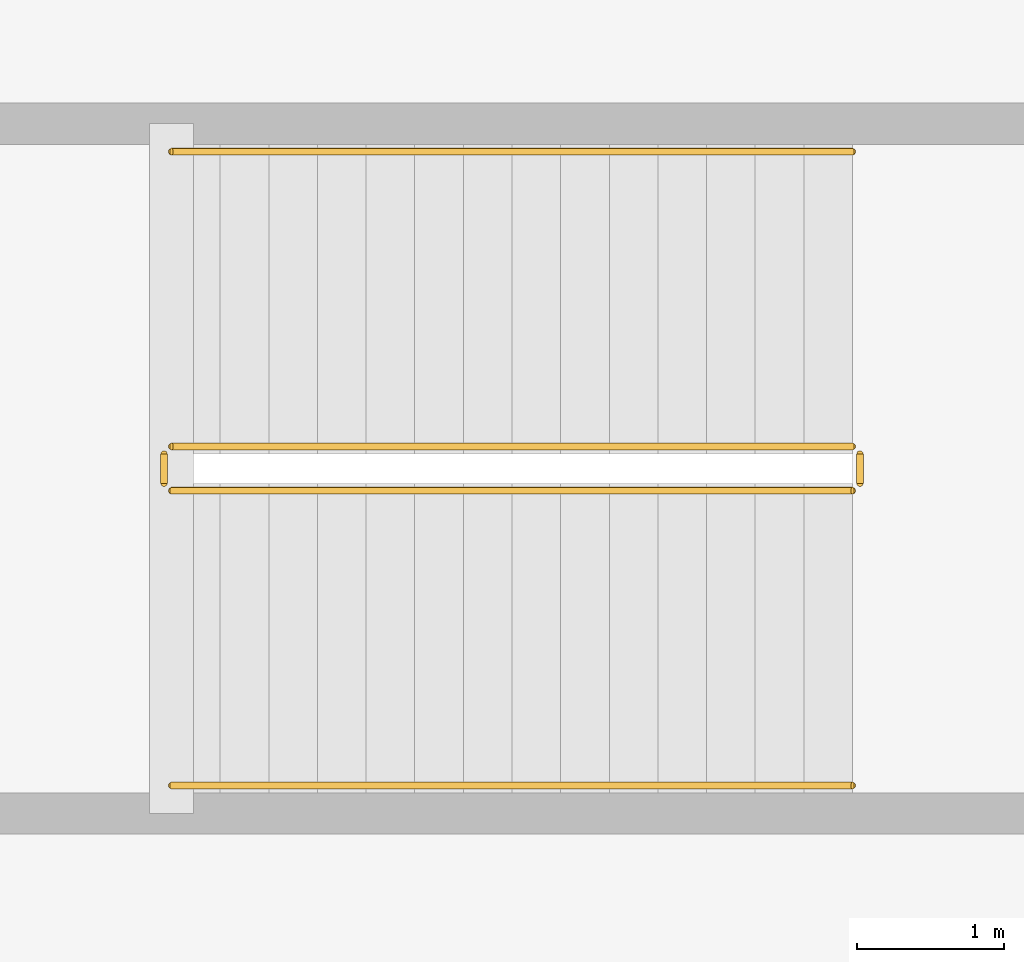
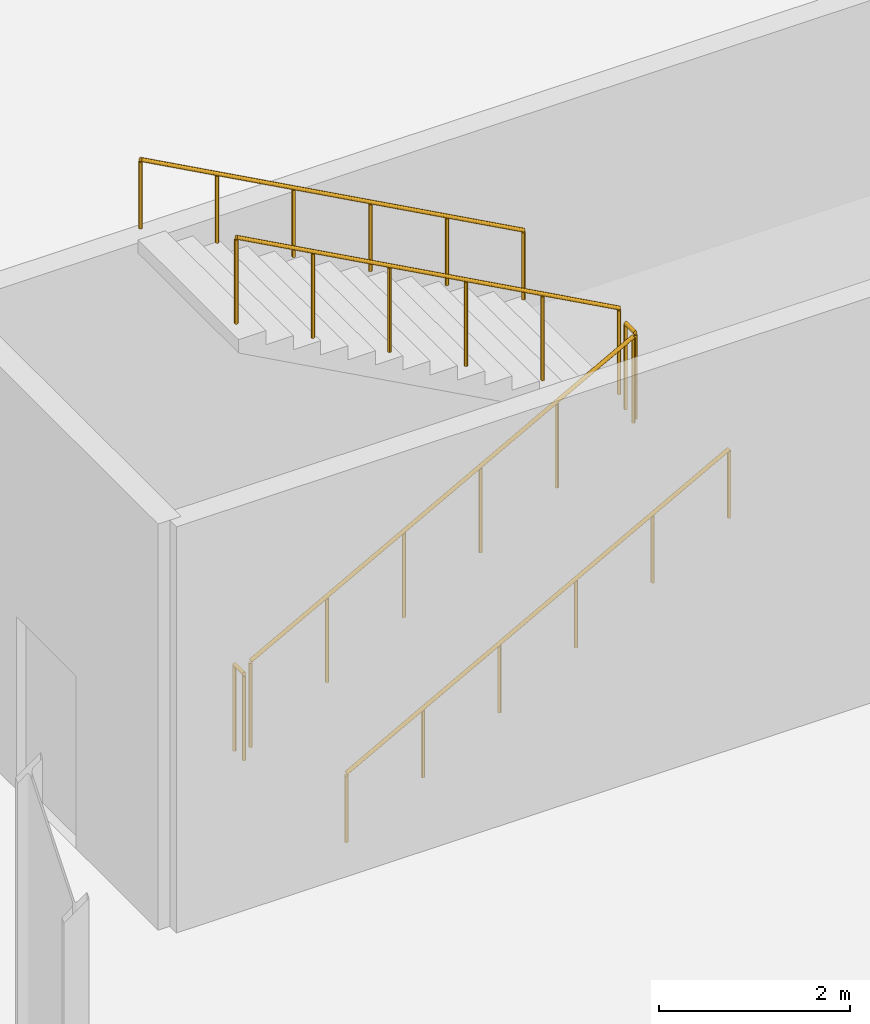
# One storey, part 85 of 87: 6 railings.
"""IFC4 building model written with IfcOpenShell, lengths in metres."""

from ifc_helpers import new_model, si_unit, direction, frame, origin, origin_2d, place, context, subcontext, project, spatial, circle, extrude, material, type_object, element, save


model = new_model("IFC4")

# Units and contexts
model_context = context("Model", 3, precision=1e-05, world=origin(), true_north=direction((0.0, 1.0)))
body_context = subcontext(model_context, "Body", "Model", "MODEL_VIEW")
ifc_project = project(units=[si_unit("LENGTHUNIT", "METRE"), si_unit("AREAUNIT", "SQUARE_METRE"), si_unit("VOLUMEUNIT", "CUBIC_METRE"), si_unit("PLANEANGLEUNIT", "RADIAN"), si_unit("MASSUNIT", "GRAM", prefix="KILO")], contexts=[model_context])

# Site, building, storey
site_placement = place(None, origin())
site = spatial("IfcSite", under=ifc_project, at=site_placement, CompositionType="ELEMENT")
building_placement = place(site_placement, origin())
building = spatial("IfcBuilding", under=site, at=building_placement, Name="Kimbaza Rail Terminus", CompositionType="ELEMENT")
storey_placement = place(building_placement, origin())
storey = spatial("IfcBuildingStorey", under=building, at=storey_placement, Name="L00", CompositionType="ELEMENT", Elevation=0.0)

# Railings
ifc_material_1 = material(Name="Brushed stainless steel handrail", Category="steel")
railing_type_1 = type_object("IfcRailingType", Name="ARC-RL-HND92", PredefinedType="HANDRAIL", material=ifc_material_1)
railing_1_placement = place(storey_placement, frame((143.699951171875, 81.85009765625, 0.179931640625)))
element("IfcRailing", 1, at=railing_1_placement, inside=storey, type_object=railing_type_1, Name="L00 ST-C2 stair handrail 1", PredefinedType="HANDRAIL", context=body_context, shape_type="SweptSolid", body=[
    extrude(circle(Radius=0.02392578125, at=origin_2d()), frame((0.0, 0.0, 0.8759765625), z_axis=(0.877899118682, 0.0, 0.478845630049), x_axis=(0.0, 1.0, 0.0)), (0.0, 0.0, 1.0), 5.2626953125),
    extrude(circle(Radius=0.02099609375, at=origin_2d()), origin(), (0.0, 0.0, 1.0), 0.851806640625),
    extrude(circle(Radius=0.02099609375, at=origin_2d()), frame((0.924072265625, 0.0, 0.50390625)), (0.0, 0.0, 1.0), 0.851806640625),
    extrude(circle(Radius=0.02099609375, at=origin_2d()), frame((1.84814453125, 0.0, 1.008056640625)), (0.0, 0.0, 1.0), 0.851806640625),
    extrude(circle(Radius=0.02099609375, at=origin_2d()), frame((2.77197265625, 0.0, 1.511962890625)), (0.0, 0.0, 1.0), 0.851806640625),
    extrude(circle(Radius=0.02099609375, at=origin_2d()), frame((3.696044921875, 0.0, 2.01611328125)), (0.0, 0.0, 1.0), 0.851806640625),
    extrude(circle(Radius=0.02099609375, at=origin_2d()), frame((4.6201171875, 0.0, 2.52001953125)), (0.0, 0.0, 1.0), 0.851806640625),
])
railing_2_placement = place(storey_placement, frame((148.320068359375, 86.14990234375, 2.8798828125)))
element("IfcRailing", 2, at=railing_2_placement, inside=storey, type_object=railing_type_1, Name="L00 ST-C2 stair handrail 2", PredefinedType="HANDRAIL", context=body_context, shape_type="SweptSolid", body=[
    extrude(circle(Radius=0.02392578125, at=origin_2d()), frame((0.0, 0.0, 0.8759765625), z_axis=(-0.877899118682, 0.0, 0.478845630049), x_axis=(0.0, -1.0, 0.0)), (0.0, 0.0, 1.0), 5.2626953125),
    extrude(circle(Radius=0.02099609375, at=origin_2d()), origin(), (0.0, 0.0, 1.0), 0.851806640625),
    extrude(circle(Radius=0.02099609375, at=origin_2d()), frame((-0.924072265625, 0.0, 0.50390625)), (0.0, 0.0, 1.0), 0.851806640625),
    extrude(circle(Radius=0.02099609375, at=origin_2d()), frame((-1.84814453125, 0.0, 1.008056640625)), (0.0, 0.0, 1.0), 0.851806640625),
    extrude(circle(Radius=0.02099609375, at=origin_2d()), frame((-2.77197265625, 0.0, 1.511962890625)), (0.0, 0.0, 1.0), 0.851806640625),
    extrude(circle(Radius=0.02099609375, at=origin_2d()), frame((-3.696044921875, 0.0, 2.01611328125)), (0.0, 0.0, 1.0), 0.851806640625),
    extrude(circle(Radius=0.02099609375, at=origin_2d()), frame((-4.6201171875, 0.0, 2.52001953125)), (0.0, 0.0, 1.0), 0.851806640625),
])
ifc_material_2 = material(Name="Painted tubular steel stair well guard", Category="steel")
railing_type_2 = type_object("IfcRailingType", Name="ARC-RL-STGRD", PredefinedType="GUARDRAIL", material=ifc_material_2)
railing_3_placement = place(storey_placement, frame((143.699951171875, 83.85009765625, 0.179931640625)))
element("IfcRailing", 3, at=railing_3_placement, inside=storey, type_object=railing_type_2, Name="L00 ST-C2 stair guard 1", PredefinedType="GUARDRAIL", context=body_context, shape_type="SweptSolid", body=[
    extrude(circle(Radius=0.02392578125, at=origin_2d()), frame((0.0, 0.0, 1.09619140625), z_axis=(0.877899118682, 0.0, 0.478845630049), x_axis=(0.0, 1.0, 0.0)), (0.0, 0.0, 1.0), 5.2626953125),
    extrude(circle(Radius=0.02099609375, at=origin_2d()), origin(), (0.0, 0.0, 1.0), 1.072021484375),
    extrude(circle(Radius=0.02099609375, at=origin_2d()), frame((0.924072265625, 0.0, 0.50390625)), (0.0, 0.0, 1.0), 1.072021484375),
    extrude(circle(Radius=0.02099609375, at=origin_2d()), frame((1.84814453125, 0.0, 1.008056640625)), (0.0, 0.0, 1.0), 1.072021484375),
    extrude(circle(Radius=0.02099609375, at=origin_2d()), frame((2.77197265625, 0.0, 1.511962890625)), (0.0, 0.0, 1.0), 1.072021484375),
    extrude(circle(Radius=0.02099609375, at=origin_2d()), frame((3.696044921875, 0.0, 2.01611328125)), (0.0, 0.0, 1.0), 1.072021484375),
    extrude(circle(Radius=0.02099609375, at=origin_2d()), frame((4.6201171875, 0.0, 2.52001953125)), (0.0, 0.0, 1.0), 1.072021484375),
])
railing_4_placement = place(storey_placement, frame((148.3701171875, 83.89990234375, 2.699951171875)))
element("IfcRailing", 4, at=railing_4_placement, inside=storey, type_object=railing_type_2, Name="L00 ST-C2 stair guard 2", PredefinedType="GUARDRAIL", context=body_context, shape_type="SweptSolid", body=[
    extrude(circle(Radius=0.02392578125, at=origin_2d()), frame((0.0, 0.0, 1.09619140625), z_axis=(0.0, 1.0, 0.0), x_axis=(-1.0, 0.0, 0.0)), (0.0, 0.0, 1.0), 0.2001953125),
    extrude(circle(Radius=0.02099609375, at=origin_2d()), origin(), (0.0, 0.0, 1.0), 1.072021484375),
    extrude(circle(Radius=0.02099609375, at=origin_2d()), frame((0.0, 0.2001953125, 0.0)), (0.0, 0.0, 1.0), 1.072021484375),
])
railing_5_placement = place(storey_placement, frame((148.320068359375, 84.14990234375, 2.8798828125)))
element("IfcRailing", 5, at=railing_5_placement, inside=storey, type_object=railing_type_2, Name="L00 ST-C2 stair guard 3", PredefinedType="GUARDRAIL", context=body_context, shape_type="SweptSolid", body=[
    extrude(circle(Radius=0.02392578125, at=origin_2d()), frame((0.0, 0.0, 1.09619140625), z_axis=(-0.877899118682, 0.0, 0.478845630049), x_axis=(0.0, -1.0, 0.0)), (0.0, 0.0, 1.0), 5.2626953125),
    extrude(circle(Radius=0.02099609375, at=origin_2d()), origin(), (0.0, 0.0, 1.0), 1.072021484375),
    extrude(circle(Radius=0.02099609375, at=origin_2d()), frame((-0.924072265625, 0.0, 0.50390625)), (0.0, 0.0, 1.0), 1.072021484375),
    extrude(circle(Radius=0.02099609375, at=origin_2d()), frame((-1.84814453125, 0.0, 1.008056640625)), (0.0, 0.0, 1.0), 1.072021484375),
    extrude(circle(Radius=0.02099609375, at=origin_2d()), frame((-2.77197265625, 0.0, 1.511962890625)), (0.0, 0.0, 1.0), 1.072021484375),
    extrude(circle(Radius=0.02099609375, at=origin_2d()), frame((-3.696044921875, 0.0, 2.01611328125)), (0.0, 0.0, 1.0), 1.072021484375),
    extrude(circle(Radius=0.02099609375, at=origin_2d()), frame((-4.6201171875, 0.0, 2.52001953125)), (0.0, 0.0, 1.0), 1.072021484375),
])
railing_6_placement = place(storey_placement, frame((143.64990234375, 83.89990234375, 0.0)))
element("IfcRailing", 6, at=railing_6_placement, inside=storey, type_object=railing_type_2, Name="L00 ST-C2 stair guard 4", PredefinedType="GUARDRAIL", context=body_context, shape_type="SweptSolid", body=[
    extrude(circle(Radius=0.02392578125, at=origin_2d()), frame((0.0, 0.0, 1.09619140625), z_axis=(0.0, 1.0, 0.0), x_axis=(-1.0, 0.0, 0.0)), (0.0, 0.0, 1.0), 0.2001953125),
    extrude(circle(Radius=0.02099609375, at=origin_2d()), origin(), (0.0, 0.0, 1.0), 1.072021484375),
    extrude(circle(Radius=0.02099609375, at=origin_2d()), frame((0.0, 0.2001953125, 0.0)), (0.0, 0.0, 1.0), 1.072021484375),
])

save(model, "model.ifc")
